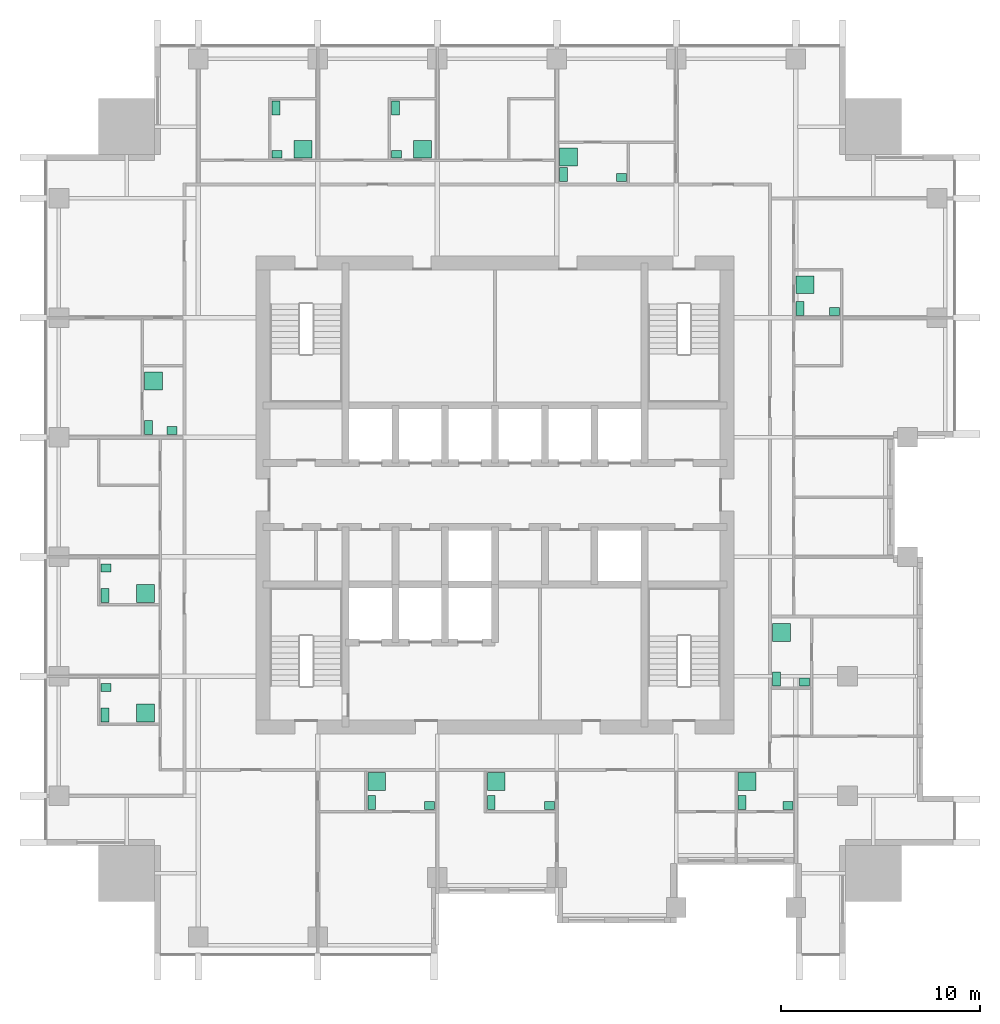
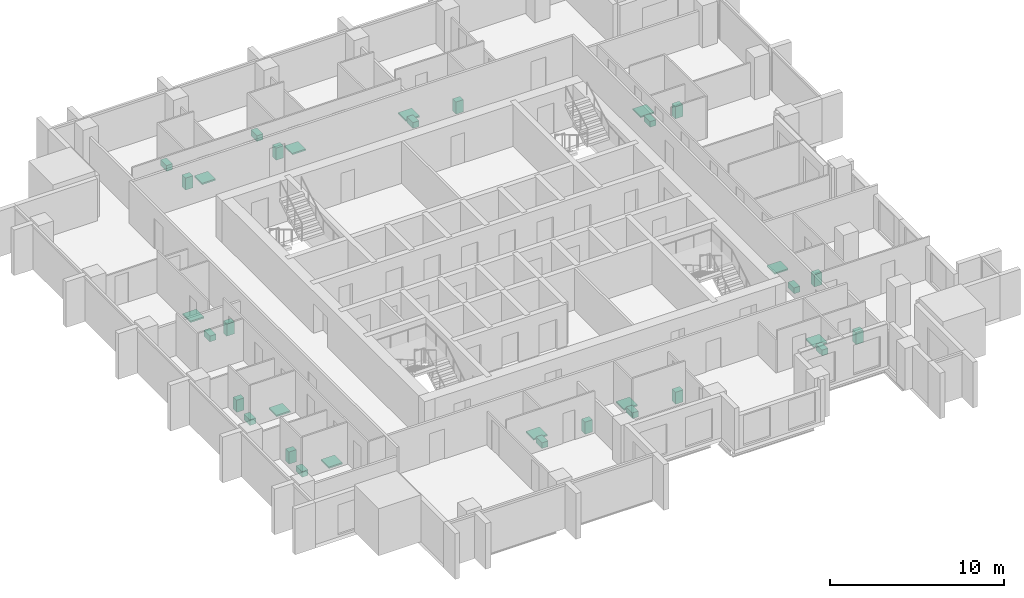
# One storey, part 10 of 10: 33 sanitary terminals.
"""IFC4 building model written with IfcOpenShell, lengths in metres."""

from ifc_helpers import new_model, si_unit, direction, frame, origin, origin_2d, place, context, subcontext, project, spatial, rectangle, extrude, element, save


model = new_model("IFC4")

# Units and contexts
model_context = context("Model", 3, precision=1e-05, world=origin(), true_north=direction((0.0, 1.0)))
body_context = subcontext(model_context, "Body", "Model", "MODEL_VIEW")
ifc_project = project(units=[si_unit("LENGTHUNIT", "METRE"), si_unit("AREAUNIT", "SQUARE_METRE"), si_unit("VOLUMEUNIT", "CUBIC_METRE"), si_unit("PLANEANGLEUNIT", "RADIAN"), si_unit("MASSUNIT", "GRAM", prefix="KILO")], contexts=[model_context])

# Site, building, storey
site_placement = place(None, origin())
site = spatial("IfcSite", under=ifc_project, at=site_placement, CompositionType="ELEMENT")
building_placement = place(site_placement, origin())
building = spatial("IfcBuilding", under=site, at=building_placement, Name="Amberfall Residences", CompositionType="ELEMENT")
storey_placement = place(building_placement, frame((0.0, 0.0, 174.699951171875)))
storey = spatial("IfcBuildingStorey", under=building, at=storey_placement, Name="L47", CompositionType="ELEMENT", Elevation=174.699951171875)

# Sanitary terminals
sanitary_terminal_1_placement = place(storey_placement, frame((68.31005859375, 30.06005859375, 0.0), z_axis=(0.0, 0.0, 1.0), x_axis=(1.0, 0.0, 0.0)))
element("IfcSanitaryTerminal", 1, at=sanitary_terminal_1_placement, inside=storey, Name="Water closet 4701", PredefinedType="TOILETPAN", context=body_context, shape_type="SweptSolid", body=[
    extrude(rectangle(XDim=0.39990234375, YDim=0.699951171875, at=origin_2d()), origin(), (0.0, 0.0, 1.0), 0.39990234375),
])
sanitary_terminal_2_placement = place(storey_placement, frame((71.215087890625, 29.909912109375, 0.0), z_axis=(0.0, 0.0, 1.0), x_axis=(1.0, 0.0, 0.0)))
element("IfcSanitaryTerminal", 2, at=sanitary_terminal_2_placement, inside=storey, Name="Basin 4701", PredefinedType="WASHHANDBASIN", context=body_context, shape_type="SweptSolid", body=[
    extrude(rectangle(XDim=0.5, YDim=0.39990234375, at=origin_2d()), origin(), (0.0, 0.0, 1.0), 0.85009765625),
])
sanitary_terminal_3_placement = place(storey_placement, frame((68.56005859375, 31.114990234375, 0.0), z_axis=(0.0, 0.0, 1.0), x_axis=(1.0, 0.0, 0.0)))
element("IfcSanitaryTerminal", 3, at=sanitary_terminal_3_placement, inside=storey, Name="Shower tray 4701", PredefinedType="SHOWER", context=body_context, shape_type="SweptSolid", body=[
    extrude(rectangle(XDim=0.89990234375, YDim=0.89990234375, at=origin_2d()), origin(), (0.0, 0.0, 1.0), 0.10009765625),
])
sanitary_terminal_4_placement = place(storey_placement, frame((74.31005859375, 30.06005859375, 0.0), z_axis=(0.0, 0.0, 1.0), x_axis=(1.0, 0.0, 0.0)))
element("IfcSanitaryTerminal", 4, at=sanitary_terminal_4_placement, inside=storey, Name="Water closet 4702", PredefinedType="TOILETPAN", context=body_context, shape_type="SweptSolid", body=[
    extrude(rectangle(XDim=0.39990234375, YDim=0.699951171875, at=origin_2d()), origin(), (0.0, 0.0, 1.0), 0.39990234375),
])
sanitary_terminal_5_placement = place(storey_placement, frame((77.239990234375, 29.909912109375, 0.0), z_axis=(0.0, 0.0, 1.0), x_axis=(1.0, 0.0, 0.0)))
element("IfcSanitaryTerminal", 5, at=sanitary_terminal_5_placement, inside=storey, Name="Basin 4702", PredefinedType="WASHHANDBASIN", context=body_context, shape_type="SweptSolid", body=[
    extrude(rectangle(XDim=0.5, YDim=0.39990234375, at=origin_2d()), origin(), (0.0, 0.0, 1.0), 0.85009765625),
])
sanitary_terminal_6_placement = place(storey_placement, frame((74.56005859375, 31.114990234375, 0.0), z_axis=(0.0, 0.0, 1.0), x_axis=(1.0, 0.0, 0.0)))
element("IfcSanitaryTerminal", 6, at=sanitary_terminal_6_placement, inside=storey, Name="Shower tray 4702", PredefinedType="SHOWER", context=body_context, shape_type="SweptSolid", body=[
    extrude(rectangle(XDim=0.89990234375, YDim=0.89990234375, at=origin_2d()), origin(), (0.0, 0.0, 1.0), 0.10009765625),
])
sanitary_terminal_7_placement = place(storey_placement, frame((86.909912109375, 30.06005859375, 0.0), z_axis=(0.0, 0.0, 1.0), x_axis=(1.0, 0.0, 0.0)))
element("IfcSanitaryTerminal", 7, at=sanitary_terminal_7_placement, inside=storey, Name="Water closet 4702", PredefinedType="TOILETPAN", context=body_context, shape_type="SweptSolid", body=[
    extrude(rectangle(XDim=0.39990234375, YDim=0.699951171875, at=origin_2d()), origin(), (0.0, 0.0, 1.0), 0.39990234375),
])
sanitary_terminal_8_placement = place(storey_placement, frame((89.215087890625, 29.909912109375, 0.0), z_axis=(0.0, 0.0, 1.0), x_axis=(1.0, 0.0, 0.0)))
element("IfcSanitaryTerminal", 8, at=sanitary_terminal_8_placement, inside=storey, Name="Basin 4702", PredefinedType="WASHHANDBASIN", context=body_context, shape_type="SweptSolid", body=[
    extrude(rectangle(XDim=0.5, YDim=0.39990234375, at=origin_2d()), origin(), (0.0, 0.0, 1.0), 0.85009765625),
])
sanitary_terminal_9_placement = place(storey_placement, frame((87.159912109375, 31.114990234375, 0.0), z_axis=(0.0, 0.0, 1.0), x_axis=(1.0, 0.0, 0.0)))
element("IfcSanitaryTerminal", 9, at=sanitary_terminal_9_placement, inside=storey, Name="Shower tray 4702", PredefinedType="SHOWER", context=body_context, shape_type="SweptSolid", body=[
    extrude(rectangle(XDim=0.89990234375, YDim=0.89990234375, at=origin_2d()), origin(), (0.0, 0.0, 1.0), 0.10009765625),
])
sanitary_terminal_10_placement = place(storey_placement, frame((88.635009765625, 36.260009765625, 0.0), z_axis=(0.0, 0.0, 1.0), x_axis=(1.0, 0.0, 0.0)))
element("IfcSanitaryTerminal", 10, at=sanitary_terminal_10_placement, inside=storey, Name="Water closet 4703", PredefinedType="TOILETPAN", context=body_context, shape_type="SweptSolid", body=[
    extrude(rectangle(XDim=0.39990234375, YDim=0.699951171875, at=origin_2d()), origin(), (0.0, 0.0, 1.0), 0.39990234375),
])
sanitary_terminal_11_placement = place(storey_placement, frame((90.0400390625, 36.110107421875, 0.0), z_axis=(0.0, 0.0, 1.0), x_axis=(1.0, 0.0, 0.0)))
element("IfcSanitaryTerminal", 11, at=sanitary_terminal_11_placement, inside=storey, Name="Basin 4703", PredefinedType="WASHHANDBASIN", context=body_context, shape_type="SweptSolid", body=[
    extrude(rectangle(XDim=0.5, YDim=0.39990234375, at=origin_2d()), origin(), (0.0, 0.0, 1.0), 0.85009765625),
])
sanitary_terminal_12_placement = place(storey_placement, frame((88.885009765625, 38.591796875, 0.0), z_axis=(0.0, 0.0, 1.0), x_axis=(1.0, 0.0, 0.0)))
element("IfcSanitaryTerminal", 12, at=sanitary_terminal_12_placement, inside=storey, Name="Shower tray 4703", PredefinedType="SHOWER", context=body_context, shape_type="SweptSolid", body=[
    extrude(rectangle(XDim=0.89990234375, YDim=0.89990234375, at=origin_2d()), origin(), (0.0, 0.0, 1.0), 0.10009765625),
])
sanitary_terminal_13_placement = place(storey_placement, frame((89.81005859375, 54.860107421875, 0.0), z_axis=(0.0, 0.0, 1.0), x_axis=(1.0, 0.0, 0.0)))
element("IfcSanitaryTerminal", 13, at=sanitary_terminal_13_placement, inside=storey, Name="Water closet 4704", PredefinedType="TOILETPAN", context=body_context, shape_type="SweptSolid", body=[
    extrude(rectangle(XDim=0.39990234375, YDim=0.699951171875, at=origin_2d()), origin(), (0.0, 0.0, 1.0), 0.39990234375),
])
sanitary_terminal_14_placement = place(storey_placement, frame((91.5400390625, 54.7099609375, 0.0), z_axis=(0.0, 0.0, 1.0), x_axis=(1.0, 0.0, 0.0)))
element("IfcSanitaryTerminal", 14, at=sanitary_terminal_14_placement, inside=storey, Name="Basin 4704", PredefinedType="WASHHANDBASIN", context=body_context, shape_type="SweptSolid", body=[
    extrude(rectangle(XDim=0.5, YDim=0.39990234375, at=origin_2d()), origin(), (0.0, 0.0, 1.0), 0.85009765625),
])
sanitary_terminal_15_placement = place(storey_placement, frame((90.06005859375, 56.05712890625, 0.0), z_axis=(0.0, 0.0, 1.0), x_axis=(1.0, 0.0, 0.0)))
element("IfcSanitaryTerminal", 15, at=sanitary_terminal_15_placement, inside=storey, Name="Shower tray 4704", PredefinedType="SHOWER", context=body_context, shape_type="SweptSolid", body=[
    extrude(rectangle(XDim=0.89990234375, YDim=0.89990234375, at=origin_2d()), origin(), (0.0, 0.0, 1.0), 0.10009765625),
])
sanitary_terminal_16_placement = place(storey_placement, frame((63.510009765625, 64.93994140625, 0.0), z_axis=(0.0, 0.0, 1.0), x_axis=(1.0, 0.0, 0.0)))
element("IfcSanitaryTerminal", 16, at=sanitary_terminal_16_placement, inside=storey, Name="Water closet 4705", PredefinedType="TOILETPAN", context=body_context, shape_type="SweptSolid", body=[
    extrude(rectangle(XDim=0.39990234375, YDim=0.699951171875, at=origin_2d()), origin(), (0.0, 0.0, 1.0), 0.39990234375),
])
sanitary_terminal_17_placement = place(storey_placement, frame((63.56005859375, 62.610107421875, 0.0), z_axis=(0.0, 0.0, 1.0), x_axis=(1.0, 0.0, 0.0)))
element("IfcSanitaryTerminal", 17, at=sanitary_terminal_17_placement, inside=storey, Name="Basin 4705", PredefinedType="WASHHANDBASIN", context=body_context, shape_type="SweptSolid", body=[
    extrude(rectangle(XDim=0.5, YDim=0.39990234375, at=origin_2d()), origin(), (0.0, 0.0, 1.0), 0.85009765625),
])
sanitary_terminal_18_placement = place(storey_placement, frame((64.857177734375, 62.860107421875, 0.0), z_axis=(0.0, 0.0, 1.0), x_axis=(1.0, 0.0, 0.0)))
element("IfcSanitaryTerminal", 18, at=sanitary_terminal_18_placement, inside=storey, Name="Shower tray 4705", PredefinedType="SHOWER", context=body_context, shape_type="SweptSolid", body=[
    extrude(rectangle(XDim=0.89990234375, YDim=0.89990234375, at=origin_2d()), origin(), (0.0, 0.0, 1.0), 0.10009765625),
])
sanitary_terminal_19_placement = place(storey_placement, frame((69.510009765625, 64.93994140625, 0.0), z_axis=(0.0, 0.0, 1.0), x_axis=(1.0, 0.0, 0.0)))
element("IfcSanitaryTerminal", 19, at=sanitary_terminal_19_placement, inside=storey, Name="Water closet 4705", PredefinedType="TOILETPAN", context=body_context, shape_type="SweptSolid", body=[
    extrude(rectangle(XDim=0.39990234375, YDim=0.699951171875, at=origin_2d()), origin(), (0.0, 0.0, 1.0), 0.39990234375),
])
sanitary_terminal_20_placement = place(storey_placement, frame((69.56005859375, 62.610107421875, 0.0), z_axis=(0.0, 0.0, 1.0), x_axis=(1.0, 0.0, 0.0)))
element("IfcSanitaryTerminal", 20, at=sanitary_terminal_20_placement, inside=storey, Name="Basin 4705", PredefinedType="WASHHANDBASIN", context=body_context, shape_type="SweptSolid", body=[
    extrude(rectangle(XDim=0.5, YDim=0.39990234375, at=origin_2d()), origin(), (0.0, 0.0, 1.0), 0.85009765625),
])
sanitary_terminal_21_placement = place(storey_placement, frame((70.857177734375, 62.860107421875, 0.0), z_axis=(0.0, 0.0, 1.0), x_axis=(1.0, 0.0, 0.0)))
element("IfcSanitaryTerminal", 21, at=sanitary_terminal_21_placement, inside=storey, Name="Shower tray 4705", PredefinedType="SHOWER", context=body_context, shape_type="SweptSolid", body=[
    extrude(rectangle(XDim=0.89990234375, YDim=0.89990234375, at=origin_2d()), origin(), (0.0, 0.0, 1.0), 0.10009765625),
])
sanitary_terminal_22_placement = place(storey_placement, frame((77.93505859375, 61.5849609375, 0.0), z_axis=(0.0, 0.0, 1.0), x_axis=(1.0, 0.0, 0.0)))
element("IfcSanitaryTerminal", 22, at=sanitary_terminal_22_placement, inside=storey, Name="Water closet 4706", PredefinedType="TOILETPAN", context=body_context, shape_type="SweptSolid", body=[
    extrude(rectangle(XDim=0.39990234375, YDim=0.699951171875, at=origin_2d()), origin(), (0.0, 0.0, 1.0), 0.39990234375),
])
sanitary_terminal_23_placement = place(storey_placement, frame((80.840087890625, 61.43505859375, 0.0), z_axis=(0.0, 0.0, 1.0), x_axis=(1.0, 0.0, 0.0)))
element("IfcSanitaryTerminal", 23, at=sanitary_terminal_23_placement, inside=storey, Name="Basin 4706", PredefinedType="WASHHANDBASIN", context=body_context, shape_type="SweptSolid", body=[
    extrude(rectangle(XDim=0.5, YDim=0.39990234375, at=origin_2d()), origin(), (0.0, 0.0, 1.0), 0.85009765625),
])
sanitary_terminal_24_placement = place(storey_placement, frame((78.18505859375, 62.480712890625, 0.0), z_axis=(0.0, 0.0, 1.0), x_axis=(1.0, 0.0, 0.0)))
element("IfcSanitaryTerminal", 24, at=sanitary_terminal_24_placement, inside=storey, Name="Shower tray 4706", PredefinedType="SHOWER", context=body_context, shape_type="SweptSolid", body=[
    extrude(rectangle(XDim=0.89990234375, YDim=0.89990234375, at=origin_2d()), origin(), (0.0, 0.0, 1.0), 0.10009765625),
])
sanitary_terminal_25_placement = place(storey_placement, frame((54.909912109375, 34.4599609375, 0.0), z_axis=(0.0, 0.0, 1.0), x_axis=(1.0, 0.0, 0.0)))
element("IfcSanitaryTerminal", 25, at=sanitary_terminal_25_placement, inside=storey, Name="Water closet 4707", PredefinedType="TOILETPAN", context=body_context, shape_type="SweptSolid", body=[
    extrude(rectangle(XDim=0.39990234375, YDim=0.699951171875, at=origin_2d()), origin(), (0.0, 0.0, 1.0), 0.39990234375),
])
sanitary_terminal_26_placement = place(storey_placement, frame((54.9599609375, 35.835693359375, 0.0), z_axis=(0.0, 0.0, 1.0), x_axis=(1.0, 0.0, 0.0)))
element("IfcSanitaryTerminal", 26, at=sanitary_terminal_26_placement, inside=storey, Name="Basin 4707", PredefinedType="WASHHANDBASIN", context=body_context, shape_type="SweptSolid", body=[
    extrude(rectangle(XDim=0.5, YDim=0.39990234375, at=origin_2d()), origin(), (0.0, 0.0, 1.0), 0.85009765625),
])
sanitary_terminal_27_placement = place(storey_placement, frame((56.94189453125, 34.56005859375, 0.0), z_axis=(0.0, 0.0, 1.0), x_axis=(1.0, 0.0, 0.0)))
element("IfcSanitaryTerminal", 27, at=sanitary_terminal_27_placement, inside=storey, Name="Shower tray 4707", PredefinedType="SHOWER", context=body_context, shape_type="SweptSolid", body=[
    extrude(rectangle(XDim=0.89990234375, YDim=0.89990234375, at=origin_2d()), origin(), (0.0, 0.0, 1.0), 0.10009765625),
])
sanitary_terminal_28_placement = place(storey_placement, frame((54.909912109375, 40.4599609375, 0.0), z_axis=(0.0, 0.0, 1.0), x_axis=(1.0, 0.0, 0.0)))
element("IfcSanitaryTerminal", 28, at=sanitary_terminal_28_placement, inside=storey, Name="Water closet 4707", PredefinedType="TOILETPAN", context=body_context, shape_type="SweptSolid", body=[
    extrude(rectangle(XDim=0.39990234375, YDim=0.699951171875, at=origin_2d()), origin(), (0.0, 0.0, 1.0), 0.39990234375),
])
sanitary_terminal_29_placement = place(storey_placement, frame((54.9599609375, 41.835693359375, 0.0), z_axis=(0.0, 0.0, 1.0), x_axis=(1.0, 0.0, 0.0)))
element("IfcSanitaryTerminal", 29, at=sanitary_terminal_29_placement, inside=storey, Name="Basin 4707", PredefinedType="WASHHANDBASIN", context=body_context, shape_type="SweptSolid", body=[
    extrude(rectangle(XDim=0.5, YDim=0.39990234375, at=origin_2d()), origin(), (0.0, 0.0, 1.0), 0.85009765625),
])
sanitary_terminal_30_placement = place(storey_placement, frame((56.94189453125, 40.56005859375, 0.0), z_axis=(0.0, 0.0, 1.0), x_axis=(1.0, 0.0, 0.0)))
element("IfcSanitaryTerminal", 30, at=sanitary_terminal_30_placement, inside=storey, Name="Shower tray 4707", PredefinedType="SHOWER", context=body_context, shape_type="SweptSolid", body=[
    extrude(rectangle(XDim=0.89990234375, YDim=0.89990234375, at=origin_2d()), origin(), (0.0, 0.0, 1.0), 0.10009765625),
])
sanitary_terminal_31_placement = place(storey_placement, frame((57.110107421875, 48.885009765625, 0.0), z_axis=(0.0, 0.0, 1.0), x_axis=(1.0, 0.0, 0.0)))
element("IfcSanitaryTerminal", 31, at=sanitary_terminal_31_placement, inside=storey, Name="Water closet 4708", PredefinedType="TOILETPAN", context=body_context, shape_type="SweptSolid", body=[
    extrude(rectangle(XDim=0.39990234375, YDim=0.699951171875, at=origin_2d()), origin(), (0.0, 0.0, 1.0), 0.39990234375),
])
sanitary_terminal_32_placement = place(storey_placement, frame((58.2890625, 48.735107421875, 0.0), z_axis=(0.0, 0.0, 1.0), x_axis=(1.0, 0.0, 0.0)))
element("IfcSanitaryTerminal", 32, at=sanitary_terminal_32_placement, inside=storey, Name="Basin 4708", PredefinedType="WASHHANDBASIN", context=body_context, shape_type="SweptSolid", body=[
    extrude(rectangle(XDim=0.5, YDim=0.39990234375, at=origin_2d()), origin(), (0.0, 0.0, 1.0), 0.85009765625),
])
sanitary_terminal_33_placement = place(storey_placement, frame((57.360107421875, 51.216796875, 0.0), z_axis=(0.0, 0.0, 1.0), x_axis=(1.0, 0.0, 0.0)))
element("IfcSanitaryTerminal", 33, at=sanitary_terminal_33_placement, inside=storey, Name="Shower tray 4708", PredefinedType="SHOWER", context=body_context, shape_type="SweptSolid", body=[
    extrude(rectangle(XDim=0.89990234375, YDim=0.89990234375, at=origin_2d()), origin(), (0.0, 0.0, 1.0), 0.10009765625),
])

save(model, "model.ifc")
